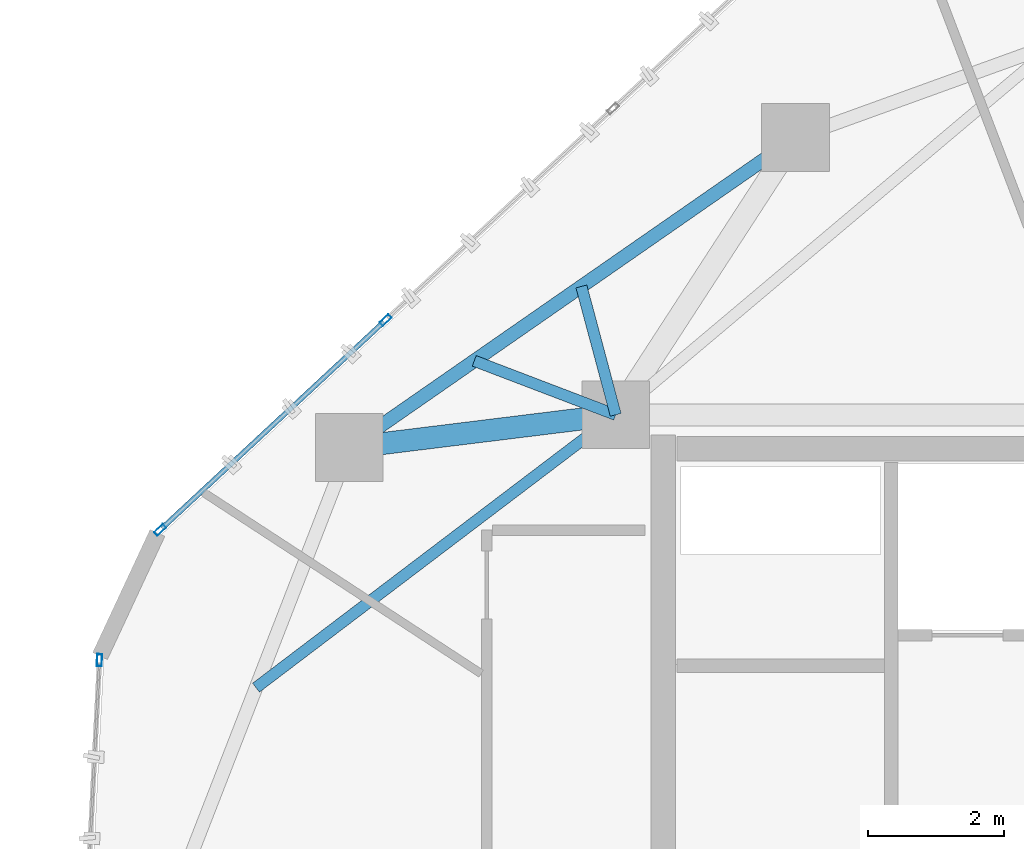
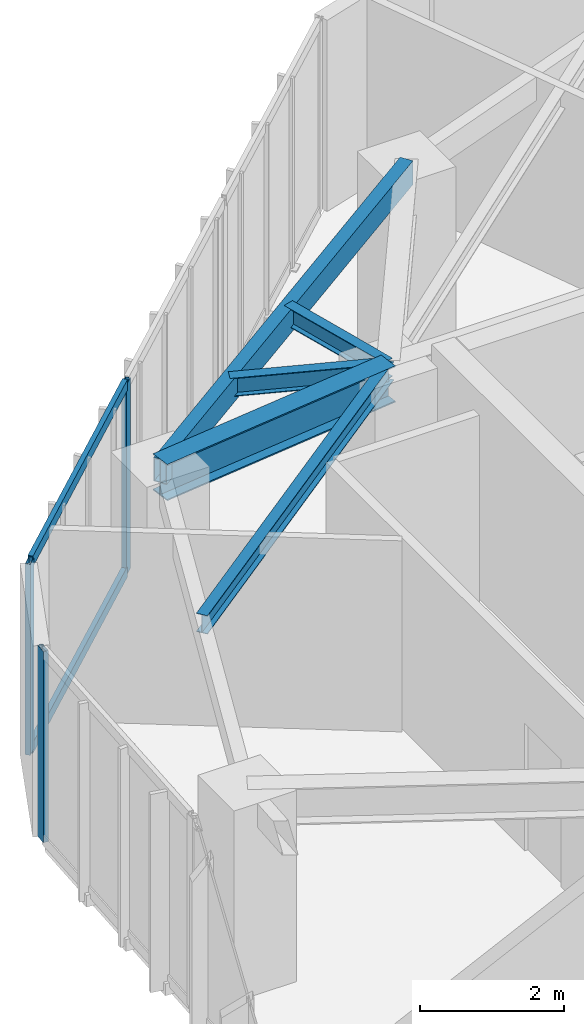
# One storey, part 9 of 19: 5 beams, 5 members, 2 elements without a shape of their own.
"""IFC4 building model written with IfcOpenShell, lengths in metres."""

from ifc_helpers import new_model, si_unit, direction, frame, origin, origin_2d, place, context, subcontext, project, spatial, hollow_rectangle, i_section, extrude, source, transform, mapped, material, layer, layer_set, material_profile, profile_set, type_object, type_shapes, element, aggregate, save


model = new_model("IFC4")

# Units and contexts
model_context = context("Model", 3, precision=1e-05, world=origin(), true_north=direction((0.0, 1.0)))
body_context = subcontext(model_context, "Body", "Model", "MODEL_VIEW")
ifc_project = project(units=[si_unit("LENGTHUNIT", "METRE"), si_unit("AREAUNIT", "SQUARE_METRE"), si_unit("VOLUMEUNIT", "CUBIC_METRE"), si_unit("PLANEANGLEUNIT", "RADIAN"), si_unit("MASSUNIT", "GRAM", prefix="KILO")], contexts=[model_context])

# Site, building, storey
site_placement = place(None, origin())
site = spatial("IfcSite", under=ifc_project, at=site_placement, CompositionType="ELEMENT")
building_placement = place(site_placement, origin())
building = spatial("IfcBuilding", under=site, at=building_placement, Name="Talar Marvaseh", CompositionType="ELEMENT")
storey_placement = place(building_placement, frame((0.0, 0.0, 218.699951171875)))
storey = spatial("IfcBuildingStorey", under=building, at=storey_placement, Name="L57", CompositionType="ELEMENT", Elevation=218.699951171875)

# Beams
ifc_material_1 = material(Name="Steel S355", Category="steel")
ifc_material_profile_1 = material_profile(ifc_material_1, hollow_rectangle(XDim=0.199951171875, YDim=0.39990234375, WallThickness=0.013916015625, at=origin_2d()), Name="RHS400x200x14")
ifc_profile_set_1 = profile_set([ifc_material_profile_1], Name="Steel S355")
beam_type_1 = type_object("IfcBeamType", Name="Zone 3 Perimeter Spandrel Beam RHS400x200x14", PredefinedType="SPANDREL", material=ifc_profile_set_1)
beam_1_placement = place(storey_placement, frame((14.77294921875, 36.416015625, 3.030029296875), z_axis=(0.821296978901, 0.570500896098, 0.0), x_axis=(-0.570500896098, 0.821296978901, 0.0)))
element("IfcBeam", 1, at=beam_1_placement, inside=storey, type_object=beam_type_1, Name="L57 Zone 3 Perimeter Spandrel Beam RHS400x200x14", PredefinedType="SPANDREL", context=body_context, shape_type="SweptSolid", body=[
    extrude(hollow_rectangle(XDim=0.199951171875, YDim=0.39990234375, WallThickness=0.013916015625, at=origin_2d()), origin(), (0.0, 0.0, 1.0), 8.0107421875),
])
ifc_material_profile_2 = material_profile(ifc_material_1, i_section(OverallWidth=0.324951171875, OverallDepth=0.615966796875, WebThickness=0.013916015625, FlangeThickness=0.021484375, at=origin_2d()), Name="W610x174")
ifc_profile_set_2 = profile_set([ifc_material_profile_2], Name="Steel S355")
beam_type_2 = type_object("IfcBeamType", Name="Zone 3 Radial Floor Girder W610x174", PredefinedType="BEAM", material=ifc_profile_set_2)
beam_2_placement = place(storey_placement, frame((14.77294921875, 36.416015625, 2.922119140625), z_axis=(0.99249373738, 0.122295467049, 0.0), x_axis=(-0.122295467049, 0.99249373738, 0.0)))
element("IfcBeam", 2, at=beam_2_placement, inside=storey, type_object=beam_type_2, Name="L57 Zone 3 Radial Floor Girder W610x174", PredefinedType="BEAM", context=body_context, shape_type="SweptSolid", body=[
    extrude(i_section(OverallWidth=0.324951171875, OverallDepth=0.615966796875, WebThickness=0.013916015625, FlangeThickness=0.021484375, at=origin_2d()), origin(), (0.0, 0.0, 1.0), 3.956787109375),
])
ifc_material_profile_3 = material_profile(ifc_material_1, i_section(OverallWidth=0.166015625, OverallDepth=0.31298828125, WebThickness=0.006591796875, FlangeThickness=0.01123046875, at=origin_2d()), Name="W310x45")
ifc_profile_set_3 = profile_set([ifc_material_profile_3], Name="Steel S355")
beam_type_3 = type_object("IfcBeamType", Name="Zone 3 Secondary Floor Joist W310x45", PredefinedType="JOIST", material=ifc_profile_set_3)
beam_3_placement = place(storey_placement, frame((13.398193359375, 32.8779296875, 3.073486328125), z_axis=(0.796694925744, 0.604381663598, 0.0), x_axis=(-0.604381663598, 0.796694925744, 0.0)))
element("IfcBeam", 3, at=beam_3_placement, inside=storey, type_object=beam_type_3, Name="L57 Zone 3 Secondary Floor Joist W310x45", PredefinedType="JOIST", context=body_context, shape_type="SweptSolid", body=[
    extrude(i_section(OverallWidth=0.166015625, OverallDepth=0.31298828125, WebThickness=0.006591796875, FlangeThickness=0.01123046875, at=origin_2d()), origin(), (0.0, 0.0, 1.0), 6.65478515625),
])
beam_4_placement = place(storey_placement, frame((16.614990234375, 37.695556640625, 3.073486328125), z_axis=(0.934281341688, -0.356536638473, 0.0), x_axis=(0.356536638473, 0.934281341688, 0.0)))
element("IfcBeam", 4, at=beam_4_placement, inside=storey, type_object=beam_type_3, Name="L57 Zone 3 Secondary Floor Joist W310x45", PredefinedType="JOIST", context=body_context, shape_type="SweptSolid", body=[
    extrude(i_section(OverallWidth=0.166015625, OverallDepth=0.31298828125, WebThickness=0.006591796875, FlangeThickness=0.01123046875, at=origin_2d()), origin(), (0.0, 0.0, 1.0), 2.231689453125),
])
beam_5_placement = place(storey_placement, frame((18.194091796875, 38.79248046875, 3.073486328125), z_axis=(0.258221088864, -0.966085849842, 0.0), x_axis=(0.966085849842, 0.258221088864, 0.0)))
element("IfcBeam", 5, at=beam_5_placement, inside=storey, type_object=beam_type_3, Name="L57 Zone 3 Secondary Floor Joist W310x45", PredefinedType="JOIST", context=body_context, shape_type="SweptSolid", body=[
    extrude(i_section(OverallWidth=0.166015625, OverallDepth=0.31298828125, WebThickness=0.006591796875, FlangeThickness=0.01123046875, at=origin_2d()), origin(), (0.0, 0.0, 1.0), 1.958984375),
])

# Curtain wall, member
ifc_material_2 = material(Name="Architectural Aluminium", Category="aluminium")
ifc_layer = layer(ifc_material_2, 0.18994140625)
ifc_layer_set = layer_set([ifc_layer], Name="Architectural Aluminium")
curtain_wall_type = type_object("IfcCurtainWallType", Name="Unitised Solar Atelier Curtain Wall Z3", PredefinedType="NOTDEFINED", material=ifc_layer_set)
curtain_wall_1_placement = place(storey_placement, origin())
curtain_wall_1 = element("IfcCurtainWall", 6, at=curtain_wall_1_placement, inside=storey, type_object=curtain_wall_type, Name="L57 Unitised Solar Atelier Curtain Wall Z3", PredefinedType="NOTDEFINED")
ifc_material_profile_4 = material_profile(ifc_material_2, hollow_rectangle(XDim=0.074951171875, YDim=0.179931640625, WallThickness=0.0048828125, at=origin_2d()), Name="RHS180x75x5")
ifc_profile_set_4 = profile_set([ifc_material_profile_4], Name="Architectural Aluminium")
member_type_1 = type_object("IfcMemberType", Name="Unitised Curtain Wall Standard Mullion RHS180x75x5", PredefinedType="MULLION", material=ifc_profile_set_4)
shared_shape_1 = source(origin(), body_context, "Body", "SweptSolid", [
    extrude(hollow_rectangle(XDim=0.074951171875, YDim=0.179931640625, WallThickness=0.0048828125, at=origin_2d()), origin(), (0.0, 0.0, 1.0), 3.22998046875),
])
type_shapes(member_type_1, [shared_shape_1])
member_1_placement = place(storey_placement, frame((11.0908203125, 33.283935546875, 0.0), z_axis=(0.0, 0.0, 1.0), x_axis=(-0.998690889639, 0.051151803012, 0.0)))
member_1 = element("IfcMember", 7, at=member_1_placement, type_object=member_type_1, Name="CW-Z3 mullion 4", PredefinedType="MULLION", context=body_context, shape_type="MappedRepresentation", body=[
    mapped(shared_shape_1, transform((0.0, 0.0, 0.0), x_axis=(1.0, 0.0, 0.0), y_axis=(0.0, 1.0, 0.0), z_axis=(0.0, 0.0, 1.0), scale=1.0)),
])
aggregate(curtain_wall_1, [member_1])

# Curtain wall, members
curtain_wall_2_placement = place(storey_placement, origin())
curtain_wall_2 = element("IfcCurtainWall", 8, at=curtain_wall_2_placement, inside=storey, type_object=curtain_wall_type, Name="L57 Unitised Solar Atelier Curtain Wall Z3", PredefinedType="NOTDEFINED")
member_2_placement = place(storey_placement, frame((11.98583984375, 35.203125, 0.0), z_axis=(0.0, 0.0, 1.0), x_axis=(-0.681132360097, 0.732160302139, 0.0)))
member_2 = element("IfcMember", 9, at=member_2_placement, type_object=member_type_1, Name="CW-Z3 mullion 1", PredefinedType="MULLION", context=body_context, shape_type="MappedRepresentation", body=[
    mapped(shared_shape_1, transform((0.0, 0.0, 0.0), x_axis=(1.0, 0.0, 0.0), y_axis=(0.0, 1.0, 0.0), z_axis=(0.0, 0.0, 1.0), scale=1.0)),
])
member_3_placement = place(storey_placement, frame((15.3095703125, 38.29541015625, 0.0), z_axis=(0.0, 0.0, 1.0), x_axis=(-0.681132360097, 0.732160302139, 0.0)))
member_3 = element("IfcMember", 10, at=member_3_placement, type_object=member_type_1, Name="CW-Z3 mullion 2", PredefinedType="MULLION", context=body_context, shape_type="MappedRepresentation", body=[
    mapped(shared_shape_1, transform((0.0, 0.0, 0.0), x_axis=(1.0, 0.0, 0.0), y_axis=(0.0, 1.0, 0.0), z_axis=(0.0, 0.0, 1.0), scale=1.0)),
])
ifc_material_profile_5 = material_profile(ifc_material_2, hollow_rectangle(XDim=0.074951171875, YDim=0.179931640625, WallThickness=0.0048828125, at=origin_2d()), Name="RHS180x75x5")
ifc_profile_set_5 = profile_set([ifc_material_profile_5], Name="Architectural Aluminium")
member_type_2 = type_object("IfcMemberType", Name="Unitised Curtain Wall Transom RHS180x75x5", PredefinedType="USERDEFINED", material=ifc_profile_set_5)
shared_shape_2 = source(origin(), body_context, "Body", "SweptSolid", [
    extrude(hollow_rectangle(XDim=0.074951171875, YDim=0.179931640625, WallThickness=0.0048828125, at=origin_2d()), origin(), (0.0, 0.0, 1.0), 4.464599609375),
])
type_shapes(member_type_2, [shared_shape_2])
member_4_placement = place(storey_placement, frame((12.013427734375, 35.228759765625, 0.03759765625), z_axis=(0.732156296097, 0.681136666232, 0.0), x_axis=(-0.681136666232, 0.732156296097, 0.0)))
member_4 = element("IfcMember", 11, at=member_4_placement, type_object=member_type_2, Name="CW-Z3 transom 1.1", ObjectType="TRANSOM", PredefinedType="USERDEFINED", context=body_context, shape_type="MappedRepresentation", body=[
    mapped(shared_shape_2, transform((0.0, 0.0, 0.0), x_axis=(1.0, 0.0, 0.0), y_axis=(0.0, 1.0, 0.0), z_axis=(0.0, 0.0, 1.0), scale=1.0)),
])
member_5_placement = place(storey_placement, frame((12.013427734375, 35.228759765625, 3.192626953125), z_axis=(0.732156296097, 0.681136666232, 0.0), x_axis=(-0.681136666232, 0.732156296097, 0.0)))
member_5 = element("IfcMember", 12, at=member_5_placement, type_object=member_type_2, Name="CW-Z3 transom 1.2", ObjectType="TRANSOM", PredefinedType="USERDEFINED", context=body_context, shape_type="MappedRepresentation", body=[
    mapped(shared_shape_2, transform((0.0, 0.0, 0.0), x_axis=(1.0, 0.0, 0.0), y_axis=(0.0, 1.0, 0.0), z_axis=(0.0, 0.0, 1.0), scale=1.0)),
])
aggregate(curtain_wall_2, [member_2, member_3, member_4, member_5])

save(model, "model.ifc")
